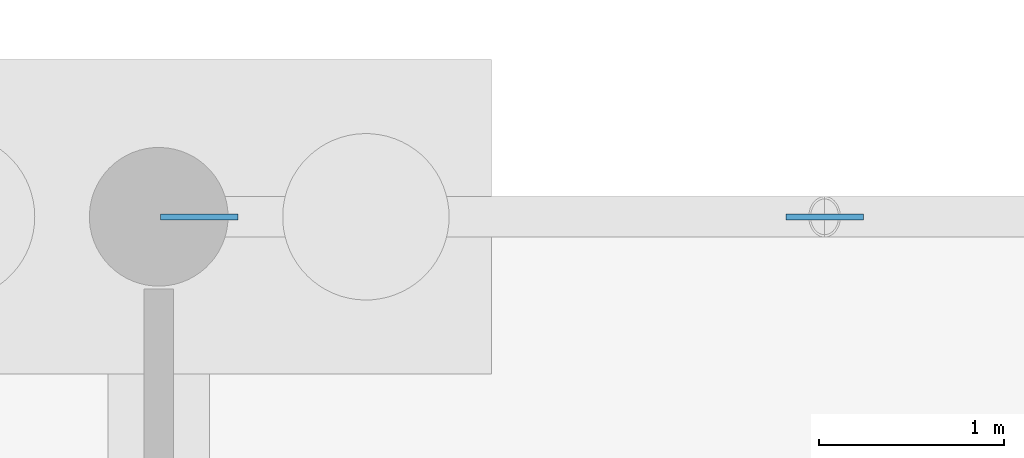
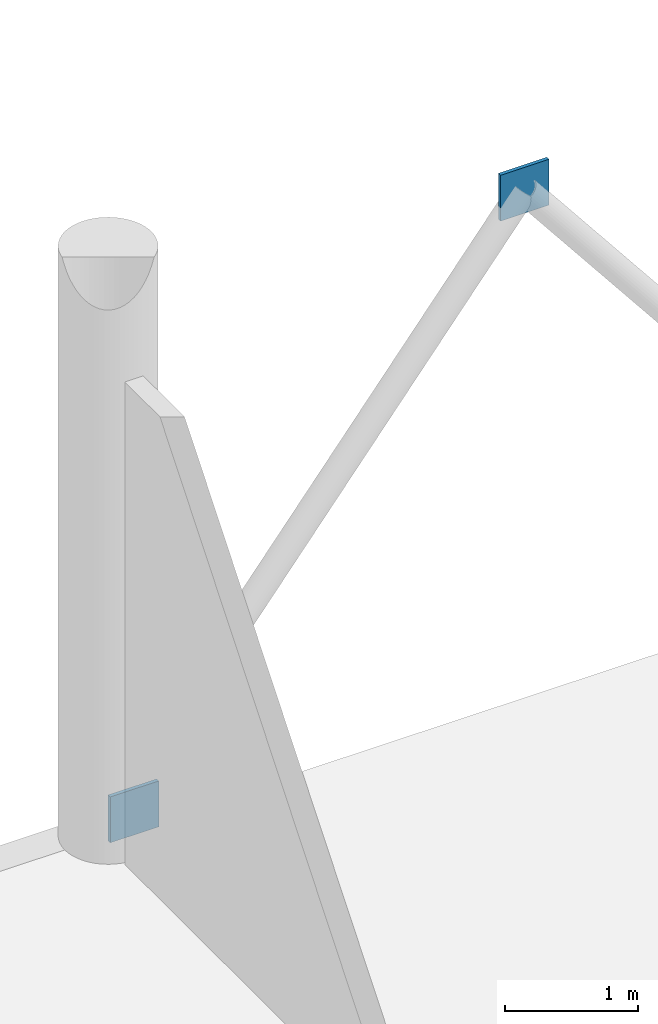
# One storey, part 39 of 61: 2 plates.
"""IFC4 building model written with IfcOpenShell, lengths in metres."""

from ifc_helpers import new_model, si_unit, direction, frame, origin, origin_2d, place, context, subcontext, project, spatial, rectangle, extrude, material, layer, layer_set, type_object, element, save


model = new_model("IFC4")

# Units and contexts
model_context = context("Model", 3, precision=1e-05, world=origin(), true_north=direction((0.0, 1.0)))
body_context = subcontext(model_context, "Body", "Model", "MODEL_VIEW")
ifc_project = project(units=[si_unit("LENGTHUNIT", "METRE"), si_unit("AREAUNIT", "SQUARE_METRE"), si_unit("VOLUMEUNIT", "CUBIC_METRE"), si_unit("PLANEANGLEUNIT", "RADIAN"), si_unit("MASSUNIT", "GRAM", prefix="KILO")], contexts=[model_context])

# Site, building, storey
site_placement = place(None, origin())
site = spatial("IfcSite", under=ifc_project, at=site_placement, CompositionType="ELEMENT")
building_placement = place(site_placement, origin())
building = spatial("IfcBuilding", under=site, at=building_placement, Name="Calvrana Isthmian Art Gallery", CompositionType="ELEMENT")
storey_placement = place(building_placement, frame((0.0, 0.0, -5.39990234375)))
storey = spatial("IfcBuildingStorey", under=building, at=storey_placement, Name="B1", CompositionType="ELEMENT", Elevation=-5.39990234375)

# Plates
ifc_material = material(Name="Steel ASTM A572 Gr 50", Category="steel")
ifc_layer = layer(ifc_material, 0.031982421875, Name="Steel ASTM A572 Gr 50")
ifc_layer_set = layer_set([ifc_layer], Name="Steel ASTM A572 Gr 50")
plate_type = type_object("IfcPlateType", Name="PL-GUSSET-32", PredefinedType="USERDEFINED", material=ifc_layer_set)
for number, where, z_axis, x_axis, name in (
    (1, (120.219970703125, 98.39990234375, -0.06005859375), (0.0, 0.0, 1.0), (1.0, 0.0, 0.0), "Chevron brace gusset plate B1-12L"),
    (2, (123.60009765625, 98.39990234375, 4.448974609375), (0.0, 0.0, 1.0), (1.0, 0.0, 0.0), "Chevron brace gusset plate B1-12M"),
):
    element("IfcPlate", number, at=place(storey_placement, frame(where, z_axis=z_axis, x_axis=x_axis)), inside=storey, type_object=plate_type, Name=name, ObjectType="GUSSET PLATE", PredefinedType="USERDEFINED", context=body_context, shape_type="SweptSolid", body=[
        extrude(rectangle(XDim=0.419921875, YDim=0.031982421875, at=origin_2d()), origin(), (0.0, 0.0, 1.0), 0.419921875),
    ])

save(model, "model.ifc")
